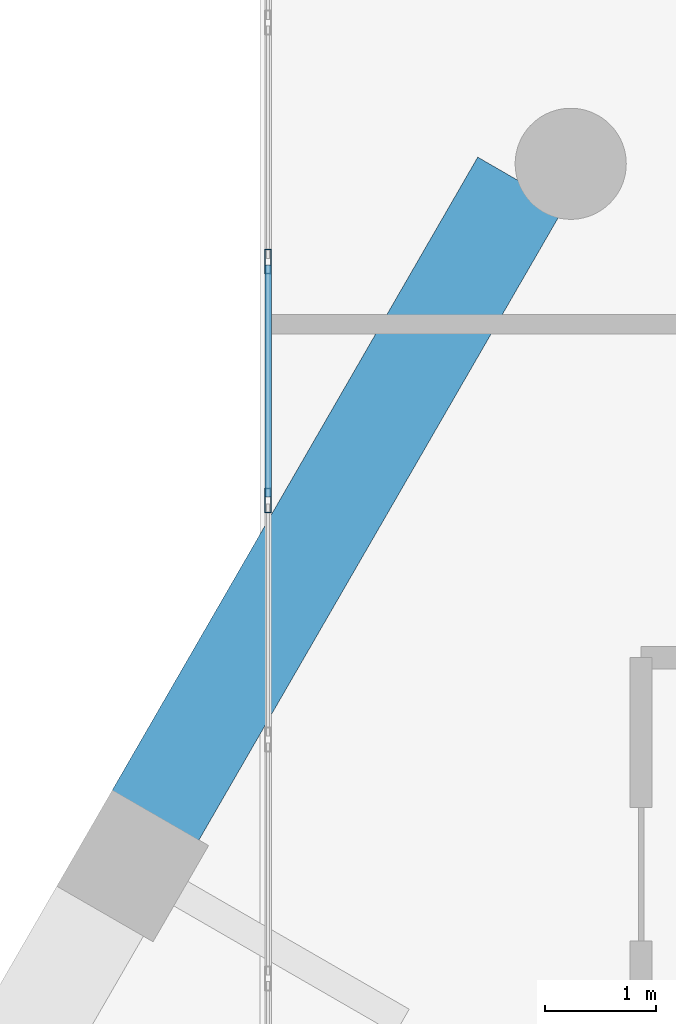
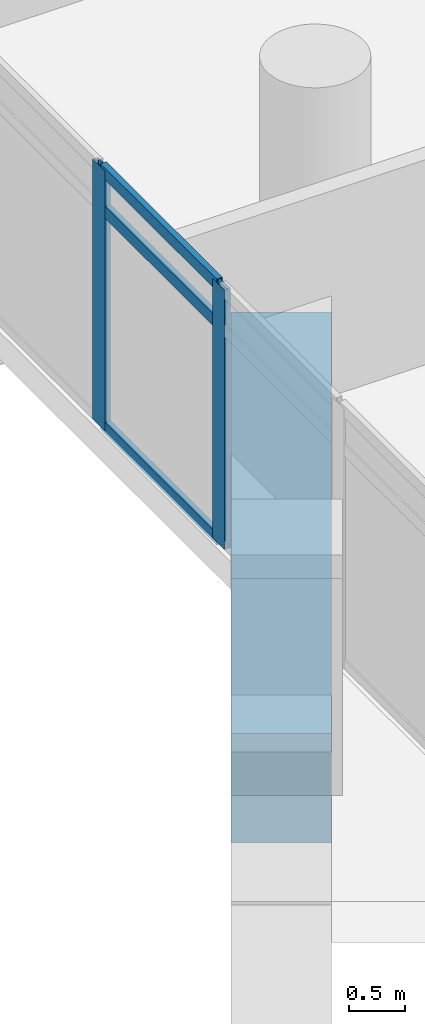
# One storey, part 13 of 29: 5 members, 1 beam, 1 element without a shape of its own.
"""IFC4 building model written with IfcOpenShell, lengths in metres."""

from ifc_helpers import new_model, si_unit, direction, frame, origin, origin_2d, place, context, subcontext, project, spatial, rectangle, hollow_rectangle, extrude, material, material_profile, profile_set, type_object, element, aggregate, save


model = new_model("IFC4")

# Units and contexts
model_context = context("Model", 3, precision=1e-05, world=origin(), true_north=direction((0.0, 1.0)))
body_context = subcontext(model_context, "Body", "Model", "MODEL_VIEW")
ifc_project = project(units=[si_unit("LENGTHUNIT", "METRE"), si_unit("AREAUNIT", "SQUARE_METRE"), si_unit("VOLUMEUNIT", "CUBIC_METRE"), si_unit("PLANEANGLEUNIT", "RADIAN"), si_unit("MASSUNIT", "GRAM", prefix="KILO")], contexts=[model_context])

# Site, building, storey
site_placement = place(None, origin())
site = spatial("IfcSite", under=ifc_project, at=site_placement, CompositionType="ELEMENT")
building_placement = place(site_placement, origin())
building = spatial("IfcBuilding", under=site, at=building_placement, Name="Ostrander Bayou Hotel Tower", CompositionType="ELEMENT")
storey_placement = place(building_placement, frame((0.0, 0.0, 205.75)))
storey = spatial("IfcBuildingStorey", under=building, at=storey_placement, Name="L51", CompositionType="ELEMENT", Elevation=205.75)

# Curtain wall, members
ifc_material_1 = material(Name="Aluminium and clear glass", Category="aluminium")
curtain_wall_type = type_object("IfcCurtainWallType", Name="CW-BAR glazed wall", PredefinedType="NOTDEFINED", material=ifc_material_1)
curtain_wall_placement = place(storey_placement, origin())
curtain_wall = element("IfcCurtainWall", 1, at=curtain_wall_placement, inside=storey, type_object=curtain_wall_type, Name="CW-BAR L51:SB4N:E", PredefinedType="NOTDEFINED")
ifc_material_2 = material(Name="Aluminium", Category="aluminium")
ifc_material_profile_1 = material_profile(ifc_material_2, hollow_rectangle(XDim=0.06005859375, YDim=0.219970703125, WallThickness=0.00390625, at=origin_2d()))
ifc_profile_set_1 = profile_set([ifc_material_profile_1], Name="Aluminium")
member_type_1 = type_object("IfcMemberType", Name="CW-BR mullion 60 x 220 mm", PredefinedType="MULLION", material=ifc_profile_set_1)
member_1_placement = place(storey_placement, frame((-11.857177734375, 15.014892578125, 0.0), z_axis=(0.0, 0.0, 1.0), x_axis=(-1.0, 0.0, 0.0)))
member_1 = element("IfcMember", 2, at=member_1_placement, type_object=member_type_1, Name="CW-BAR mullion 4", PredefinedType="MULLION", context=body_context, shape_type="SweptSolid", body=[
    extrude(hollow_rectangle(XDim=0.06005859375, YDim=0.219970703125, WallThickness=0.00390625, at=origin_2d()), origin(), (0.0, 0.0, 1.0), 2.85009765625),
])
member_2_placement = place(storey_placement, frame((-11.857177734375, 17.1650390625, 0.0), z_axis=(0.0, 0.0, 1.0), x_axis=(-1.0, 0.0, 0.0)))
member_2 = element("IfcMember", 3, at=member_2_placement, type_object=member_type_1, Name="CW-BAR mullion 5", PredefinedType="MULLION", context=body_context, shape_type="SweptSolid", body=[
    extrude(hollow_rectangle(XDim=0.06005859375, YDim=0.219970703125, WallThickness=0.00390625, at=origin_2d()), origin(), (0.0, 0.0, 1.0), 2.85009765625),
])
ifc_material_3 = material(Name="Aluminium", Category="aluminium")
ifc_material_profile_2 = material_profile(ifc_material_3, hollow_rectangle(XDim=0.06005859375, YDim=0.1298828125, WallThickness=0.00390625, at=origin_2d()))
ifc_profile_set_2 = profile_set([ifc_material_profile_2], Name="Aluminium")
member_type_2 = type_object("IfcMemberType", Name="CW-BR transom 60 x 130 mm", PredefinedType="USERDEFINED", material=ifc_profile_set_2)
member_3_placement = place(storey_placement, frame((-11.857177734375, 15.044921875, 0.030029296875), z_axis=(0.0, 1.0, 0.0), x_axis=(-1.0, 0.0, 0.0)))
member_3 = element("IfcMember", 4, at=member_3_placement, type_object=member_type_2, Name="CW-BAR transom 4.1", ObjectType="TRANSOM", PredefinedType="USERDEFINED", context=body_context, shape_type="SweptSolid", body=[
    extrude(hollow_rectangle(XDim=0.06005859375, YDim=0.1298828125, WallThickness=0.00390625, at=origin_2d()), origin(), (0.0, 0.0, 1.0), 2.09033203125),
])
member_4_placement = place(storey_placement, frame((-11.857177734375, 15.044921875, 2.39990234375), z_axis=(0.0, 1.0, 0.0), x_axis=(-1.0, 0.0, 0.0)))
member_4 = element("IfcMember", 5, at=member_4_placement, type_object=member_type_2, Name="CW-BAR transom 4.2", ObjectType="TRANSOM", PredefinedType="USERDEFINED", context=body_context, shape_type="SweptSolid", body=[
    extrude(hollow_rectangle(XDim=0.06005859375, YDim=0.1298828125, WallThickness=0.00390625, at=origin_2d()), origin(), (0.0, 0.0, 1.0), 2.09033203125),
])
member_5_placement = place(storey_placement, frame((-11.857177734375, 15.044921875, 2.820068359375), z_axis=(0.0, 1.0, 0.0), x_axis=(-1.0, 0.0, 0.0)))
member_5 = element("IfcMember", 6, at=member_5_placement, type_object=member_type_2, Name="CW-BAR transom 4.3", ObjectType="TRANSOM", PredefinedType="USERDEFINED", context=body_context, shape_type="SweptSolid", body=[
    extrude(hollow_rectangle(XDim=0.06005859375, YDim=0.1298828125, WallThickness=0.00390625, at=origin_2d()), origin(), (0.0, 0.0, 1.0), 2.09033203125),
])
aggregate(curtain_wall, [member_1, member_2, member_3, member_4, member_5])

# Beam
ifc_material_4 = material(Name="Concrete f'c 60 MPa", Category="concrete")
ifc_material_profile_3 = material_profile(ifc_material_4, rectangle(XDim=0.89990234375, YDim=1.199951171875, at=origin_2d()))
ifc_profile_set_3 = profile_set([ifc_material_profile_3], Name="Concrete f'c 60 MPa")
beam_type = type_object("IfcBeamType", Name="SP3 spandrel beam 900 x 1200 mm f'c 60 MPa", PredefinedType="SPANDREL", material=ifc_profile_set_3)
beam_placement = place(storey_placement, frame((-9.58056640625, 17.88037109375, -0.60009765625), z_axis=(-0.499994358189, -0.866028661061, 0.0), x_axis=(0.866028661061, -0.499994358189, 0.0)))
element("IfcBeam", 7, at=beam_placement, inside=storey, type_object=beam_type, Name="SP3 L51 NW-1", PredefinedType="SPANDREL", context=body_context, shape_type="SweptSolid", body=[
    extrude(rectangle(XDim=0.89990234375, YDim=1.199951171875, at=origin_2d()), origin(), (0.0, 0.0, 1.0), 6.6064453125),
])

save(model, "model.ifc")
